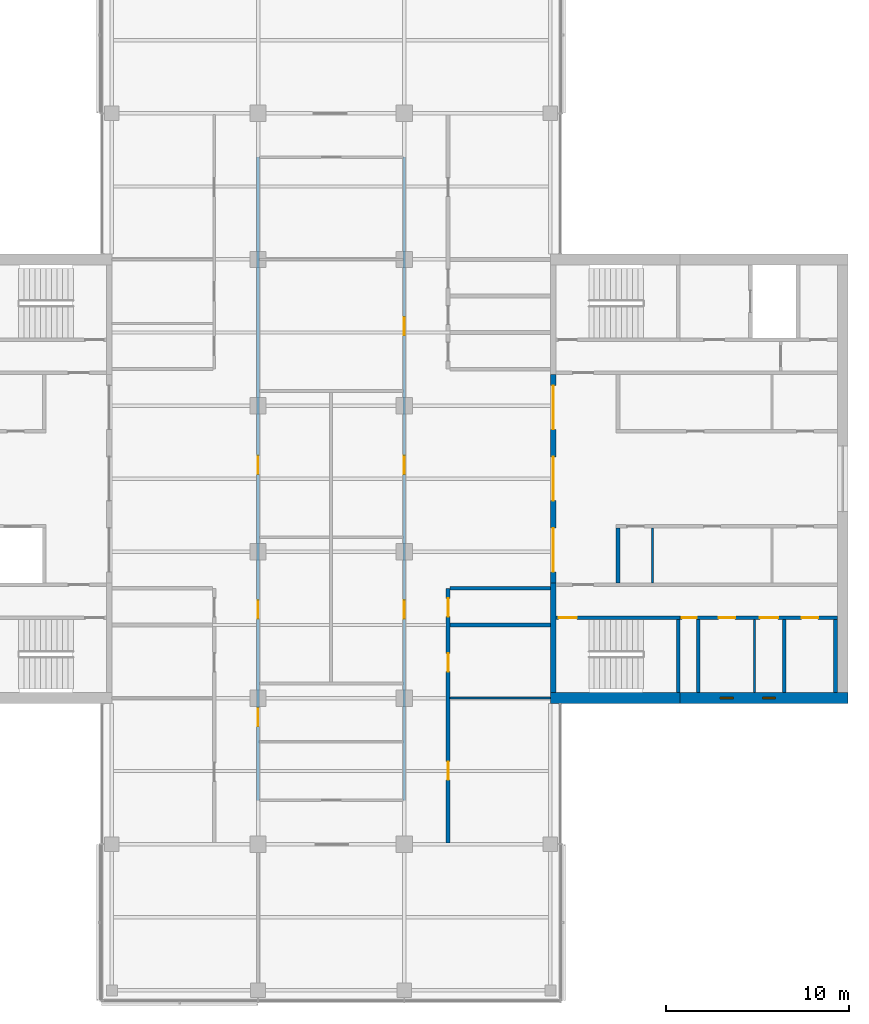
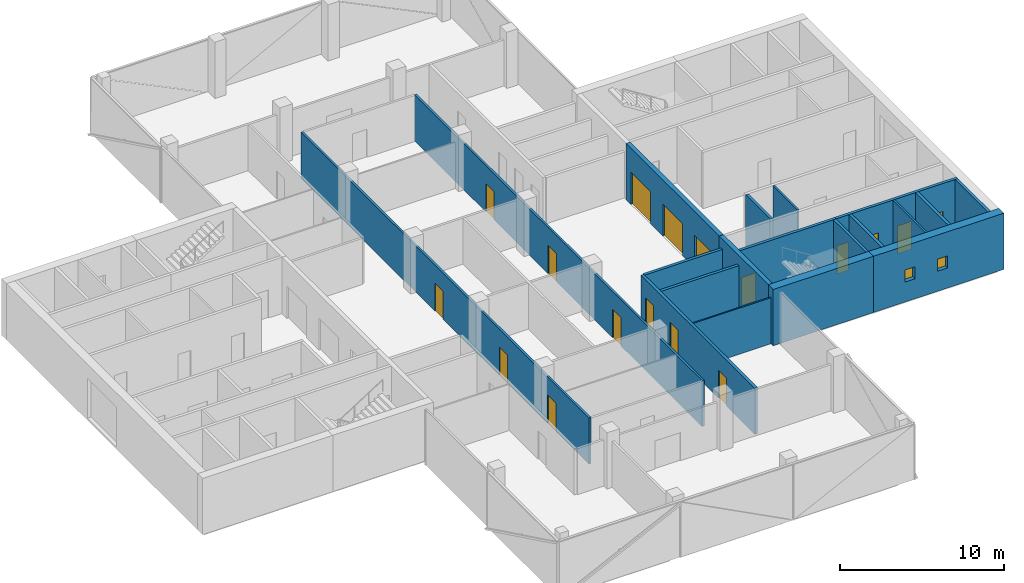
# One storey, part 10 of 16: 19 walls, 17 doors, 2 windows, 19 openings.
"""IFC4 building model written with IfcOpenShell, lengths in metres."""

from ifc_helpers import new_model, si_unit, direction, frame, frame_2d, origin, place, context, subcontext, project, spatial, rectangle, extrude, material, layer, layer_set, constituent, constituent_set, type_object, element, fill, save


model = new_model("IFC4")

# Units and contexts
model_context = context("Model", 3, precision=1e-05, world=origin(), true_north=direction((0.0, 1.0)))
body_context = subcontext(model_context, "Body", "Model", "MODEL_VIEW")
ifc_project = project(units=[si_unit("LENGTHUNIT", "METRE"), si_unit("AREAUNIT", "SQUARE_METRE"), si_unit("VOLUMEUNIT", "CUBIC_METRE"), si_unit("PLANEANGLEUNIT", "RADIAN"), si_unit("MASSUNIT", "GRAM", prefix="KILO")], contexts=[model_context])

# Site, building, storey
site_placement = place(None, origin())
site = spatial("IfcSite", under=ifc_project, at=site_placement, CompositionType="ELEMENT")
building_placement = place(site_placement, origin())
building = spatial("IfcBuilding", under=site, at=building_placement, Name="Crosswind Convention Tower", CompositionType="ELEMENT")
storey_placement = place(building_placement, frame((0.0, 0.0, 216.699951171875)))
storey = spatial("IfcBuildingStorey", under=building, at=storey_placement, Name="L46", CompositionType="ELEMENT", Elevation=216.699951171875)

# Wall
ifc_material_1 = material(Name="Concrete blockwork", Category="masonry")
ifc_layer_1 = layer(ifc_material_1, 0.199951171875)
ifc_layer_set_1 = layer_set([ifc_layer_1], Name="Blockwork partition wall 200")
wall_type_1 = type_object("IfcWallType", Name="Blockwork partition wall 200", PredefinedType="PARTITIONING", material=ifc_layer_set_1)
wall_1_placement = place(storey_placement, frame((145.10009765625, 88.300048828125, 0.0), z_axis=(0.0, 0.0, 1.0), x_axis=(0.0, 1.0, 0.0)))
element("IfcWall", 1, at=wall_1_placement, inside=storey, type_object=wall_type_1, Name="Wall MRSE E L46", PredefinedType="PARTITIONING", context=body_context, shape_type="SweptSolid", body=[
    extrude(rectangle(XDim=4.0, YDim=0.199951171875, at=frame_2d((2.0, 0.0))), origin(), (0.0, 0.0, 1.0), 4.199951171875),
])

# Wall, openings, doors
ifc_layer_2 = layer(ifc_material_1, 0.199951171875)
ifc_layer_set_2 = layer_set([ifc_layer_2], Name="COMPARTMENT WALL 200 BLOCKWORK")
wall_type_2 = type_object("IfcWallType", Name="COMPARTMENT WALL 200 BLOCKWORK", PredefinedType="SOLIDWALL", material=ifc_layer_set_2)
wall_2_placement = place(storey_placement, frame((131.39990234375, 80.074951171875, 0.0), z_axis=(0.0, 0.0, 1.0), x_axis=(0.0, 1.0, 0.0)))
wall_2 = element("IfcWall", 2, at=wall_2_placement, inside=storey, type_object=wall_type_2, Name="Compartment wall WT42", PredefinedType="SOLIDWALL", context=body_context, shape_type="SweptSolid", body=[
    extrude(rectangle(XDim=13.925048828125, YDim=0.199951171875, at=frame_2d((6.96240234375, 0.0))), origin(), (0.0, 0.0, 1.0), 3.43994140625),
])
opening_1_placement = place(wall_2_placement, frame((12.375, 0.0, 0.0)))
opening_1 = element("IfcOpeningElement", 3, at=opening_1_placement, cuts=wall_2, Name="Opening L46-54", PredefinedType="OPENING", context=body_context, shape_type="SweptSolid", body=[
    extrude(rectangle(XDim=1.0, YDim=2.10009765625, at=frame_2d((0.5, 1.050048828125))), frame((0.0, 0.10986328125, 0.0), z_axis=(0.0, -1.0, 0.0), x_axis=(1.0, 0.0, 0.0)), (0.0, 0.0, 1.0), 0.219970703125),
])
opening_2_placement = place(wall_2_placement, frame((9.375, 0.0, 0.0)))
opening_2 = element("IfcOpeningElement", 4, at=opening_2_placement, cuts=wall_2, Name="Opening L46-55", PredefinedType="OPENING", context=body_context, shape_type="SweptSolid", body=[
    extrude(rectangle(XDim=1.0, YDim=2.10009765625, at=frame_2d((0.5, 1.050048828125))), frame((0.0, 0.10986328125, 0.0), z_axis=(0.0, -1.0, 0.0), x_axis=(1.0, 0.0, 0.0)), (0.0, 0.0, 1.0), 0.219970703125),
])
opening_3_placement = place(wall_2_placement, frame((3.449951171875, 0.0, 0.0)))
opening_3 = element("IfcOpeningElement", 5, at=opening_3_placement, cuts=wall_2, Name="Opening L46-56", PredefinedType="OPENING", context=body_context, shape_type="SweptSolid", body=[
    extrude(rectangle(XDim=1.0, YDim=2.10009765625, at=frame_2d((0.5, 1.050048828125))), frame((0.0, 0.10986328125, 0.0), z_axis=(0.0, -1.0, 0.0), x_axis=(1.0, 0.0, 0.0)), (0.0, 0.0, 1.0), 0.219970703125),
])
ifc_material_2 = material(Name="Steel fire door", Category="steel")
door_type_1 = type_object("IfcDoorType", Name="PLANT ROOM DOOR 1000X2100 FD60", OperationType="NOTDEFINED", PredefinedType="DOOR", material=ifc_material_2)
door_1_placement = place(opening_1_placement, frame((1.0, 0.0, 0.0), z_axis=(0.0, 0.0, 1.0), x_axis=(-1.0, 0.0, 0.0)))
door_1 = element("IfcDoor", 6, at=door_1_placement, inside=storey, type_object=door_type_1, Name="Door L46-54", ObjectType="D43", OperationType="SINGLE_SWING_RIGHT", OverallHeight=2.10009765625, OverallWidth=1.0, PredefinedType="DOOR", context=body_context, shape_type="SweptSolid", body=[
    extrude(rectangle(XDim=1.0, YDim=2.10009765625, at=frame_2d((0.5, 1.050048828125))), frame((0.0, 0.02490234375, 0.0), z_axis=(0.0, -1.0, 0.0), x_axis=(1.0, 0.0, 0.0)), (0.0, 0.0, 1.0), 0.050048828125),
])
fill(opening_1, door_1)
ifc_material_3 = material(Name="Timber fire door", Category="wood")
door_type_2 = type_object("IfcDoorType", Name="TENANCY ENTRANCE DOOR 1000X2100 FD30S", OperationType="NOTDEFINED", PredefinedType="DOOR", material=ifc_material_3)
door_2_placement = place(opening_2_placement, frame((1.0, 0.0, 0.0), z_axis=(0.0, 0.0, 1.0), x_axis=(-1.0, 0.0, 0.0)))
door_2 = element("IfcDoor", 7, at=door_2_placement, inside=storey, type_object=door_type_2, Name="Door L46-55", ObjectType="D41", OperationType="SINGLE_SWING_LEFT", OverallHeight=2.10009765625, OverallWidth=1.0, PredefinedType="DOOR", context=body_context, shape_type="SweptSolid", body=[
    extrude(rectangle(XDim=1.0, YDim=2.10009765625, at=frame_2d((0.5, 1.050048828125))), frame((0.0, 0.02490234375, 0.0), z_axis=(0.0, -1.0, 0.0), x_axis=(1.0, 0.0, 0.0)), (0.0, 0.0, 1.0), 0.050048828125),
])
fill(opening_2, door_2)
door_3_placement = place(opening_3_placement, frame((1.0, 0.0, 0.0), z_axis=(0.0, 0.0, 1.0), x_axis=(-1.0, 0.0, 0.0)))
door_3 = element("IfcDoor", 8, at=door_3_placement, inside=storey, type_object=door_type_2, Name="Door L46-56", ObjectType="D41", OperationType="SINGLE_SWING_LEFT", OverallHeight=2.10009765625, OverallWidth=1.0, PredefinedType="DOOR", context=body_context, shape_type="SweptSolid", body=[
    extrude(rectangle(XDim=1.0, YDim=2.10009765625, at=frame_2d((0.5, 1.050048828125))), frame((0.0, 0.02490234375, 0.0), z_axis=(0.0, -1.0, 0.0), x_axis=(1.0, 0.0, 0.0)), (0.0, 0.0, 1.0), 0.050048828125),
])
fill(opening_3, door_3)

# Walls
for number, where, z_axis, x_axis, name in (
    (9, (131.5, 92.0, 0.0), (0.0, 0.0, 1.0), (1.0, 0.0, 0.0), "Compartment wall WT42"),
    (10, (131.5, 94.0, 0.0), (0.0, 0.0, 1.0), (1.0, 0.0, 0.0), "Compartment wall WT42"),
):
    element("IfcWall", number, at=place(storey_placement, frame(where, z_axis=z_axis, x_axis=x_axis)), inside=storey, type_object=wall_type_2, Name=name, PredefinedType="SOLIDWALL", context=body_context, shape_type="SweptSolid", body=[
        extrude(rectangle(XDim=5.5, YDim=0.199951171875, at=frame_2d((2.75, 0.0))), origin(), (0.0, 0.0, 1.0), 3.43994140625),
    ])

# Wall, openings, doors
ifc_material_4 = material(Name="Concrete C50/60", Category="concrete")
ifc_layer_3 = layer(ifc_material_4, 0.300048828125)
ifc_layer_set_3 = layer_set([ifc_layer_3], Name="Concrete C50/60")
wall_type_3 = type_object("IfcWallType", Name="Concrete inner core wall 300", PredefinedType="SHEAR", material=ifc_layer_set_3)
wall_3_placement = place(storey_placement, frame((137.14990234375, 94.300048828125, 0.0), z_axis=(0.0, 0.0, 1.0), x_axis=(0.0, 1.0, 0.0)))
wall_3 = element("IfcWall", 11, at=wall_3_placement, inside=storey, type_object=wall_type_3, Name="Wall SCR E L46", PredefinedType="SHEAR", context=body_context, shape_type="SweptSolid", body=[
    extrude(rectangle(XDim=11.39990234375, YDim=0.300048828125, at=frame_2d((5.699951171875, 0.0))), origin(), (0.0, 0.0, 1.0), 4.199951171875),
])
opening_4_placement = place(wall_3_placement, frame((0.60009765625, 0.0, 0.0)))
opening_4 = element("IfcOpeningElement", 12, at=opening_4_placement, cuts=wall_3, Name="Opening D100", PredefinedType="OPENING", context=body_context, shape_type="SweptSolid", body=[
    extrude(rectangle(XDim=2.39990234375, YDim=2.39990234375, at=frame_2d((1.199951171875, 1.199951171875))), frame((0.0, 0.159912109375, 0.0), z_axis=(0.0, -1.0, 0.0), x_axis=(1.0, 0.0, 0.0)), (0.0, 0.0, 1.0), 0.320068359375),
])
opening_5_placement = place(wall_3_placement, frame((4.5, 0.0, 0.0)))
opening_5 = element("IfcOpeningElement", 13, at=opening_5_placement, cuts=wall_3, Name="Opening D100", PredefinedType="OPENING", context=body_context, shape_type="SweptSolid", body=[
    extrude(rectangle(XDim=2.39990234375, YDim=2.39990234375, at=frame_2d((1.199951171875, 1.199951171875))), frame((0.0, 0.159912109375, 0.0), z_axis=(0.0, -1.0, 0.0), x_axis=(1.0, 0.0, 0.0)), (0.0, 0.0, 1.0), 0.320068359375),
])
opening_6_placement = place(wall_3_placement, frame((8.39990234375, 0.0, 0.0)))
opening_6 = element("IfcOpeningElement", 14, at=opening_6_placement, cuts=wall_3, Name="Opening D100", PredefinedType="OPENING", context=body_context, shape_type="SweptSolid", body=[
    extrude(rectangle(XDim=2.39990234375, YDim=2.39990234375, at=frame_2d((1.199951171875, 1.199951171875))), frame((0.0, 0.159912109375, 0.0), z_axis=(0.0, -1.0, 0.0), x_axis=(1.0, 0.0, 0.0)), (0.0, 0.0, 1.0), 0.320068359375),
])
ifc_material_5 = material(Name="Steel fire door with glazed vision panels", Category="steel")
door_type_3 = type_object("IfcDoorType", Name="Fire-rated double door 2400x2400", OperationType="DOUBLE_DOOR_SINGLE_SWING", PredefinedType="DOOR", material=ifc_material_5)
door_4_placement = place(opening_4_placement, origin())
door_4 = element("IfcDoor", 15, at=door_4_placement, inside=storey, type_object=door_type_3, Name="Lobby door 1 L46", ObjectType="D100", OperationType="DOUBLE_DOOR_SINGLE_SWING", OverallHeight=2.39990234375, OverallWidth=2.39990234375, PredefinedType="DOOR", context=body_context, shape_type="SweptSolid", body=[
    extrude(rectangle(XDim=2.39990234375, YDim=2.39990234375, at=frame_2d((1.199951171875, 1.199951171875))), frame((0.0, 0.02490234375, 0.0), z_axis=(0.0, -1.0, 0.0), x_axis=(1.0, 0.0, 0.0)), (0.0, 0.0, 1.0), 0.050048828125),
])
fill(opening_4, door_4)
door_5_placement = place(opening_5_placement, origin())
door_5 = element("IfcDoor", 16, at=door_5_placement, inside=storey, type_object=door_type_3, Name="Lobby door 2 L46", ObjectType="D100", OperationType="DOUBLE_DOOR_SINGLE_SWING", OverallHeight=2.39990234375, OverallWidth=2.39990234375, PredefinedType="DOOR", context=body_context, shape_type="SweptSolid", body=[
    extrude(rectangle(XDim=2.39990234375, YDim=2.39990234375, at=frame_2d((1.199951171875, 1.199951171875))), frame((0.0, 0.02490234375, 0.0), z_axis=(0.0, -1.0, 0.0), x_axis=(1.0, 0.0, 0.0)), (0.0, 0.0, 1.0), 0.050048828125),
])
fill(opening_5, door_5)
door_6_placement = place(opening_6_placement, origin())
door_6 = element("IfcDoor", 17, at=door_6_placement, inside=storey, type_object=door_type_3, Name="Lobby door 3 L46", ObjectType="D100", OperationType="DOUBLE_DOOR_SINGLE_SWING", OverallHeight=2.39990234375, OverallWidth=2.39990234375, PredefinedType="DOOR", context=body_context, shape_type="SweptSolid", body=[
    extrude(rectangle(XDim=2.39990234375, YDim=2.39990234375, at=frame_2d((1.199951171875, 1.199951171875))), frame((0.0, 0.02490234375, 0.0), z_axis=(0.0, -1.0, 0.0), x_axis=(1.0, 0.0, 0.0)), (0.0, 0.0, 1.0), 0.050048828125),
])
fill(opening_6, door_6)

# Walls
wall_4_placement = place(storey_placement, frame((137.14990234375, 88.300048828125, 0.0), z_axis=(0.0, 0.0, 1.0), x_axis=(0.0, 1.0, 0.0)))
element("IfcWall", 18, at=wall_4_placement, inside=storey, type_object=wall_type_3, Name="Wall EM E L46", PredefinedType="SHEAR", context=body_context, shape_type="SweptSolid", body=[
    extrude(rectangle(XDim=6.0, YDim=0.300048828125, at=frame_2d((3.0, 0.0))), origin(), (0.0, 0.0, 1.0), 4.199951171875),
])
ifc_layer_4 = layer(ifc_material_4, 0.199951171875)
ifc_layer_set_4 = layer_set([ifc_layer_4], Name="Concrete C50/60")
wall_type_4 = type_object("IfcWallType", Name="Concrete shaft and stair wall 200", PredefinedType="SHEAR", material=ifc_layer_set_4)
wall_5_placement = place(storey_placement, frame((140.699951171875, 94.300048828125, 0.0), z_axis=(0.0, 0.0, 1.0), x_axis=(0.0, 1.0, 0.0)))
element("IfcWall", 19, at=wall_5_placement, inside=storey, type_object=wall_type_4, Name="Wall RMEND E L46", PredefinedType="SHEAR", context=body_context, shape_type="SweptSolid", body=[
    extrude(rectangle(XDim=3.0, YDim=0.199951171875, at=frame_2d((1.5, 0.0))), origin(), (0.0, 0.0, 1.0), 4.199951171875),
])
for number, where, z_axis, x_axis, name in (
    (20, (144.0, 88.300048828125, 0.0), (0.0, 0.0, 1.0), (0.0, 1.0, 0.0), "Wall MSE E L46"),
    (21, (149.800048828125, 88.300048828125, 0.0), (0.0, 0.0, 1.0), (0.0, 1.0, 0.0), "Wall MFSW E L46"),
    (22, (152.60009765625, 88.300048828125, 0.0), (0.0, 0.0, 1.0), (0.0, 1.0, 0.0), "Wall MFSE E L46"),
):
    element("IfcWall", number, at=place(storey_placement, frame(where, z_axis=z_axis, x_axis=x_axis)), inside=storey, type_object=wall_type_4, Name=name, PredefinedType="SHEAR", context=body_context, shape_type="SweptSolid", body=[
        extrude(rectangle(XDim=4.0, YDim=0.199951171875, at=frame_2d((2.0, 0.0))), origin(), (0.0, 0.0, 1.0), 4.199951171875),
    ])

# Wall, opening, door
wall_6_placement = place(storey_placement, frame((137.300048828125, 92.39990234375, 0.0), z_axis=(0.0, 0.0, 1.0), x_axis=(1.0, 0.0, 0.0)))
wall_6 = element("IfcWall", 23, at=wall_6_placement, inside=storey, type_object=wall_type_4, Name="Wall MCW E L46", PredefinedType="SHEAR", context=body_context, shape_type="SweptSolid", body=[
    extrude(rectangle(XDim=6.800048828125, YDim=0.199951171875, at=frame_2d((3.39990234375, 0.0))), origin(), (0.0, 0.0, 1.0), 4.199951171875),
])
opening_7_placement = place(wall_6_placement, frame((0.14990234375, 0.0, 0.0)))
opening_7 = element("IfcOpeningElement", 24, at=opening_7_placement, cuts=wall_6, Name="Opening D103", PredefinedType="OPENING", context=body_context, shape_type="SweptSolid", body=[
    extrude(rectangle(XDim=1.0, YDim=2.10009765625, at=frame_2d((0.5, 1.050048828125))), frame((0.0, 0.10986328125, 0.0), z_axis=(0.0, -1.0, 0.0), x_axis=(1.0, 0.0, 0.0)), (0.0, 0.0, 1.0), 0.219970703125),
])
door_type_4 = type_object("IfcDoorType", Name="Fire-rated single door 1000x2100", OperationType="NOTDEFINED", PredefinedType="DOOR", material=ifc_material_2)
door_7_placement = place(opening_7_placement, frame((1.0, 0.0, 0.0), z_axis=(0.0, 0.0, 1.0), x_axis=(-1.0, 0.0, 0.0)))
door_7 = element("IfcDoor", 25, at=door_7_placement, inside=storey, type_object=door_type_4, Name="Stair ST2 door L46", ObjectType="D103", OperationType="SINGLE_SWING_RIGHT", OverallHeight=2.10009765625, OverallWidth=1.0, PredefinedType="DOOR", context=body_context, shape_type="SweptSolid", body=[
    extrude(rectangle(XDim=1.0, YDim=2.10009765625, at=frame_2d((0.5, 1.050048828125))), frame((0.0, 0.02490234375, 0.0), z_axis=(0.0, -1.0, 0.0), x_axis=(1.0, 0.0, 0.0)), (0.0, 0.0, 1.0), 0.050048828125),
])
fill(opening_7, door_7)

# Wall, openings, doors
wall_7_placement = place(storey_placement, frame((144.10009765625, 92.39990234375, 0.0), z_axis=(0.0, 0.0, 1.0), x_axis=(1.0, 0.0, 0.0)))
wall_7 = element("IfcWall", 26, at=wall_7_placement, inside=storey, type_object=wall_type_4, Name="Wall MCX E L46", PredefinedType="SHEAR", context=body_context, shape_type="SweptSolid", body=[
    extrude(rectangle(XDim=8.599853515625, YDim=0.199951171875, at=frame_2d((4.2998046875, 0.0))), origin(), (0.0, 0.0, 1.0), 4.199951171875),
])
opening_8_placement = place(wall_7_placement, frame((0.10009765625, 0.0, 0.0)))
opening_8 = element("IfcOpeningElement", 27, at=opening_8_placement, cuts=wall_7, Name="Opening D105", PredefinedType="OPENING", context=body_context, shape_type="SweptSolid", body=[
    extrude(rectangle(XDim=0.800048828125, YDim=2.10009765625, at=frame_2d((0.39990234375, 1.050048828125))), frame((0.0, 0.10986328125, 0.0), z_axis=(0.0, -1.0, 0.0), x_axis=(1.0, 0.0, 0.0)), (0.0, 0.0, 1.0), 0.219970703125),
])
opening_9_placement = place(wall_7_placement, frame((2.103759765625, 0.0, 0.0)))
opening_9 = element("IfcOpeningElement", 28, at=opening_9_placement, cuts=wall_7, Name="Opening D106", PredefinedType="OPENING", context=body_context, shape_type="SweptSolid", body=[
    extrude(rectangle(XDim=0.89990234375, YDim=2.10009765625, at=frame_2d((0.449951171875, 1.050048828125))), frame((0.0, 0.10986328125, 0.0), z_axis=(0.0, -1.0, 0.0), x_axis=(1.0, 0.0, 0.0)), (0.0, 0.0, 1.0), 0.219970703125),
])
opening_10_placement = place(wall_7_placement, frame((4.3662109375, 0.0, 0.0)))
opening_10 = element("IfcOpeningElement", 29, at=opening_10_placement, cuts=wall_7, Name="Opening D103", PredefinedType="OPENING", context=body_context, shape_type="SweptSolid", body=[
    extrude(rectangle(XDim=1.0, YDim=2.10009765625, at=frame_2d((0.5, 1.050048828125))), frame((0.0, 0.10986328125, 0.0), z_axis=(0.0, -1.0, 0.0), x_axis=(1.0, 0.0, 0.0)), (0.0, 0.0, 1.0), 0.219970703125),
])
opening_11_placement = place(wall_7_placement, frame((6.64990234375, 0.0, 0.0)))
opening_11 = element("IfcOpeningElement", 30, at=opening_11_placement, cuts=wall_7, Name="Opening D106", PredefinedType="OPENING", context=body_context, shape_type="SweptSolid", body=[
    extrude(rectangle(XDim=0.89990234375, YDim=2.10009765625, at=frame_2d((0.449951171875, 1.050048828125))), frame((0.0, 0.10986328125, 0.0), z_axis=(0.0, -1.0, 0.0), x_axis=(1.0, 0.0, 0.0)), (0.0, 0.0, 1.0), 0.219970703125),
])
door_8_placement = place(opening_10_placement, frame((1.0, 0.0, 0.0), z_axis=(0.0, 0.0, 1.0), x_axis=(-1.0, 0.0, 0.0)))
door_8 = element("IfcDoor", 31, at=door_8_placement, inside=storey, type_object=door_type_4, Name="Door to accessible wc L46", ObjectType="D103", OperationType="SINGLE_SWING_LEFT", OverallHeight=2.10009765625, OverallWidth=1.0, PredefinedType="DOOR", context=body_context, shape_type="SweptSolid", body=[
    extrude(rectangle(XDim=1.0, YDim=2.10009765625, at=frame_2d((0.5, 1.050048828125))), frame((0.0, 0.02490234375, 0.0), z_axis=(0.0, -1.0, 0.0), x_axis=(1.0, 0.0, 0.0)), (0.0, 0.0, 1.0), 0.050048828125),
])
fill(opening_10, door_8)
door_type_5 = type_object("IfcDoorType", Name="Riser access door 800x2100", OperationType="NOTDEFINED", PredefinedType="DOOR", material=ifc_material_2)
door_9_placement = place(opening_8_placement, frame((0.800048828125, 0.0, 0.0), z_axis=(0.0, 0.0, 1.0), x_axis=(-1.0, 0.0, 0.0)))
door_9 = element("IfcDoor", 32, at=door_9_placement, inside=storey, type_object=door_type_5, Name="Riser door L46", ObjectType="D105", OperationType="SINGLE_SWING_LEFT", OverallHeight=2.10009765625, OverallWidth=0.800048828125, PredefinedType="DOOR", context=body_context, shape_type="SweptSolid", body=[
    extrude(rectangle(XDim=0.800048828125, YDim=2.10009765625, at=frame_2d((0.39990234375, 1.050048828125))), frame((0.0, 0.02490234375, 0.0), z_axis=(0.0, -1.0, 0.0), x_axis=(1.0, 0.0, 0.0)), (0.0, 0.0, 1.0), 0.050048828125),
])
fill(opening_8, door_9)
ifc_material_6 = material(Name="Timber door", Category="wood")
door_type_6 = type_object("IfcDoorType", Name="Single leaf door 900x2100", OperationType="NOTDEFINED", PredefinedType="DOOR", material=ifc_material_6)
door_10_placement = place(opening_9_placement, frame((0.89990234375, 0.0, 0.0), z_axis=(0.0, 0.0, 1.0), x_axis=(-1.0, 0.0, 0.0)))
door_10 = element("IfcDoor", 33, at=door_10_placement, inside=storey, type_object=door_type_6, Name="Door to wc L46", ObjectType="D106", OperationType="SINGLE_SWING_LEFT", OverallHeight=2.10009765625, OverallWidth=0.89990234375, PredefinedType="DOOR", context=body_context, shape_type="SweptSolid", body=[
    extrude(rectangle(XDim=0.89990234375, YDim=2.10009765625, at=frame_2d((0.449951171875, 1.050048828125))), frame((0.0, 0.02490234375, 0.0), z_axis=(0.0, -1.0, 0.0), x_axis=(1.0, 0.0, 0.0)), (0.0, 0.0, 1.0), 0.050048828125),
])
fill(opening_9, door_10)
door_11_placement = place(opening_11_placement, frame((0.89990234375, 0.0, 0.0), z_axis=(0.0, 0.0, 1.0), x_axis=(-1.0, 0.0, 0.0)))
door_11 = element("IfcDoor", 34, at=door_11_placement, inside=storey, type_object=door_type_6, Name="Door to accessible wc L46", ObjectType="D106", OperationType="SINGLE_SWING_LEFT", OverallHeight=2.10009765625, OverallWidth=0.89990234375, PredefinedType="DOOR", context=body_context, shape_type="SweptSolid", body=[
    extrude(rectangle(XDim=0.89990234375, YDim=2.10009765625, at=frame_2d((0.449951171875, 1.050048828125))), frame((0.0, 0.02490234375, 0.0), z_axis=(0.0, -1.0, 0.0), x_axis=(1.0, 0.0, 0.0)), (0.0, 0.0, 1.0), 0.050048828125),
])
fill(opening_11, door_11)

# Walls
ifc_material_7 = material(Name="Gypsum plasterboard partition", Category="gypsum")
ifc_layer_5 = layer(ifc_material_7, 0.125)
ifc_layer_set_5 = layer_set([ifc_layer_5], Name="Drywall partition wall 125")
wall_type_5 = type_object("IfcWallType", Name="Drywall partition wall 125", PredefinedType="PARTITIONING", material=ifc_layer_set_5)
wall_8_placement = place(storey_placement, frame((142.5849609375, 94.300048828125, 0.0), z_axis=(0.0, 0.0, 1.0), x_axis=(0.0, 1.0, 0.0)))
element("IfcWall", 35, at=wall_8_placement, inside=storey, type_object=wall_type_5, Name="Wall RMP1 E L46", PredefinedType="PARTITIONING", context=body_context, shape_type="SweptSolid", body=[
    extrude(rectangle(XDim=3.0, YDim=0.125, at=frame_2d((1.5, 0.0))), origin(), (0.0, 0.0, 1.0), 4.199951171875),
])
wall_9_placement = place(storey_placement, frame((148.169921875, 88.300048828125, 0.0), z_axis=(0.0, 0.0, 1.0), x_axis=(0.0, 1.0, 0.0)))
element("IfcWall", 36, at=wall_9_placement, inside=storey, type_object=wall_type_5, Name="Wall MWP1 E L46", PredefinedType="PARTITIONING", context=body_context, shape_type="SweptSolid", body=[
    extrude(rectangle(XDim=4.0, YDim=0.125, at=frame_2d((2.0, 0.0))), origin(), (0.0, 0.0, 1.0), 4.199951171875),
])
ifc_material_8 = material(Name="Plasterboard partition", Category="gypsum")
ifc_layer_6 = layer(ifc_material_8, 0.10009765625)
ifc_layer_set_6 = layer_set([ifc_layer_6], Name="PARTITION 100 METAL STUD")
wall_type_6 = type_object("IfcWallType", Name="PARTITION 100 METAL STUD", PredefinedType="PARTITIONING", material=ifc_layer_set_6)
wall_10_placement = place(storey_placement, frame((131.5, 88.0, 0.0), z_axis=(0.0, 0.0, 1.0), x_axis=(1.0, 0.0, 0.0)))
element("IfcWall", 37, at=wall_10_placement, inside=storey, type_object=wall_type_6, Name="Partition wall WT40", PredefinedType="PARTITIONING", context=body_context, shape_type="SweptSolid", body=[
    extrude(rectangle(XDim=5.5, YDim=0.10009765625, at=frame_2d((2.75, 0.0))), origin(), (0.0, 0.0, 1.0), 3.43994140625),
])

# Wall, openings, doors
ifc_material_9 = material(Name="Fire-board partition with mineral wool", Category="gypsum")
ifc_layer_7 = layer(ifc_material_9, 0.14990234375)
ifc_layer_set_7 = layer_set([ifc_layer_7], Name="TENANCY WALL 150 TWO-HOUR BOARD")
wall_type_7 = type_object("IfcWallType", Name="TENANCY WALL 150 TWO-HOUR BOARD", PredefinedType="PARTITIONING", material=ifc_layer_set_7)
wall_11_placement = place(storey_placement, frame((121.0, 82.39990234375, 0.0), z_axis=(0.0, 0.0, 1.0), x_axis=(0.0, 1.0, 0.0)))
wall_11 = element("IfcWall", 38, at=wall_11_placement, inside=storey, type_object=wall_type_7, Name="Tenancy wall WT41", PredefinedType="PARTITIONING", context=body_context, shape_type="SweptSolid", body=[
    extrude(rectangle(XDim=35.2001953125, YDim=0.14990234375, at=frame_2d((17.60009765625, 0.0))), origin(), (0.0, 0.0, 1.0), 3.43994140625),
])
opening_12_placement = place(wall_11_placement, frame((4.050048828125, 0.0, 0.0)))
opening_12 = element("IfcOpeningElement", 39, at=opening_12_placement, cuts=wall_11, Name="Opening L46-66", PredefinedType="OPENING", context=body_context, shape_type="SweptSolid", body=[
    extrude(rectangle(XDim=1.0, YDim=2.10009765625, at=frame_2d((0.5, 1.050048828125))), frame((0.0, 0.0849609375, 0.0), z_axis=(0.0, -1.0, 0.0), x_axis=(1.0, 0.0, 0.0)), (0.0, 0.0, 1.0), 0.169921875),
])
opening_13_placement = place(wall_11_placement, frame((9.949951171875, 0.0, 0.0)))
opening_13 = element("IfcOpeningElement", 40, at=opening_13_placement, cuts=wall_11, Name="Opening L46-67", PredefinedType="OPENING", context=body_context, shape_type="SweptSolid", body=[
    extrude(rectangle(XDim=1.0, YDim=2.10009765625, at=frame_2d((0.5, 1.050048828125))), frame((0.0, 0.0849609375, 0.0), z_axis=(0.0, -1.0, 0.0), x_axis=(1.0, 0.0, 0.0)), (0.0, 0.0, 1.0), 0.169921875),
])
opening_14_placement = place(wall_11_placement, frame((17.85009765625, 0.0, 0.0)))
opening_14 = element("IfcOpeningElement", 41, at=opening_14_placement, cuts=wall_11, Name="Opening L46-69", PredefinedType="OPENING", context=body_context, shape_type="SweptSolid", body=[
    extrude(rectangle(XDim=1.0, YDim=2.10009765625, at=frame_2d((0.5, 1.050048828125))), frame((0.0, 0.0849609375, 0.0), z_axis=(0.0, -1.0, 0.0), x_axis=(1.0, 0.0, 0.0)), (0.0, 0.0, 1.0), 0.169921875),
])
door_12_placement = place(opening_12_placement, frame((1.0, 0.0, 0.0), z_axis=(0.0, 0.0, 1.0), x_axis=(-1.0, 0.0, 0.0)))
door_12 = element("IfcDoor", 42, at=door_12_placement, inside=storey, type_object=door_type_2, Name="Door L46-66", ObjectType="D41", OperationType="SINGLE_SWING_LEFT", OverallHeight=2.10009765625, OverallWidth=1.0, PredefinedType="DOOR", context=body_context, shape_type="SweptSolid", body=[
    extrude(rectangle(XDim=1.0, YDim=2.10009765625, at=frame_2d((0.5, 1.050048828125))), frame((0.0, 0.02490234375, 0.0), z_axis=(0.0, -1.0, 0.0), x_axis=(1.0, 0.0, 0.0)), (0.0, 0.0, 1.0), 0.050048828125),
])
fill(opening_12, door_12)
door_13_placement = place(opening_13_placement, frame((1.0, 0.0, 0.0), z_axis=(0.0, 0.0, 1.0), x_axis=(-1.0, 0.0, 0.0)))
door_13 = element("IfcDoor", 43, at=door_13_placement, inside=storey, type_object=door_type_2, Name="Door L46-67", ObjectType="D41", OperationType="SINGLE_SWING_LEFT", OverallHeight=2.10009765625, OverallWidth=1.0, PredefinedType="DOOR", context=body_context, shape_type="SweptSolid", body=[
    extrude(rectangle(XDim=1.0, YDim=2.10009765625, at=frame_2d((0.5, 1.050048828125))), frame((0.0, 0.02490234375, 0.0), z_axis=(0.0, -1.0, 0.0), x_axis=(1.0, 0.0, 0.0)), (0.0, 0.0, 1.0), 0.050048828125),
])
fill(opening_13, door_13)
door_14_placement = place(opening_14_placement, frame((1.0, 0.0, 0.0), z_axis=(0.0, 0.0, 1.0), x_axis=(-1.0, 0.0, 0.0)))
door_14 = element("IfcDoor", 44, at=door_14_placement, inside=storey, type_object=door_type_2, Name="Door L46-69", ObjectType="D41", OperationType="SINGLE_SWING_LEFT", OverallHeight=2.10009765625, OverallWidth=1.0, PredefinedType="DOOR", context=body_context, shape_type="SweptSolid", body=[
    extrude(rectangle(XDim=1.0, YDim=2.10009765625, at=frame_2d((0.5, 1.050048828125))), frame((0.0, 0.02490234375, 0.0), z_axis=(0.0, -1.0, 0.0), x_axis=(1.0, 0.0, 0.0)), (0.0, 0.0, 1.0), 0.050048828125),
])
fill(opening_14, door_14)

wall_12_placement = place(storey_placement, frame((129.0, 82.39990234375, 0.0), z_axis=(0.0, 0.0, 1.0), x_axis=(0.0, 1.0, 0.0)))
wall_12 = element("IfcWall", 45, at=wall_12_placement, inside=storey, type_object=wall_type_7, Name="Tenancy wall WT41", PredefinedType="PARTITIONING", context=body_context, shape_type="SweptSolid", body=[
    extrude(rectangle(XDim=35.2001953125, YDim=0.14990234375, at=frame_2d((17.60009765625, 0.0))), origin(), (0.0, 0.0, 1.0), 3.43994140625),
])
opening_15_placement = place(wall_12_placement, frame((9.949951171875, 0.0, 0.0)))
opening_15 = element("IfcOpeningElement", 46, at=opening_15_placement, cuts=wall_12, Name="Opening L46-68", PredefinedType="OPENING", context=body_context, shape_type="SweptSolid", body=[
    extrude(rectangle(XDim=1.0, YDim=2.10009765625, at=frame_2d((0.5, 1.050048828125))), frame((0.0, 0.0849609375, 0.0), z_axis=(0.0, -1.0, 0.0), x_axis=(1.0, 0.0, 0.0)), (0.0, 0.0, 1.0), 0.169921875),
])
opening_16_placement = place(wall_12_placement, frame((17.85009765625, 0.0, 0.0)))
opening_16 = element("IfcOpeningElement", 47, at=opening_16_placement, cuts=wall_12, Name="Opening L46-70", PredefinedType="OPENING", context=body_context, shape_type="SweptSolid", body=[
    extrude(rectangle(XDim=1.0, YDim=2.10009765625, at=frame_2d((0.5, 1.050048828125))), frame((0.0, 0.0849609375, 0.0), z_axis=(0.0, -1.0, 0.0), x_axis=(1.0, 0.0, 0.0)), (0.0, 0.0, 1.0), 0.169921875),
])
opening_17_placement = place(wall_12_placement, frame((25.449951171875, 0.0, 0.0)))
opening_17 = element("IfcOpeningElement", 48, at=opening_17_placement, cuts=wall_12, Name="Opening L46-71", PredefinedType="OPENING", context=body_context, shape_type="SweptSolid", body=[
    extrude(rectangle(XDim=1.0, YDim=2.10009765625, at=frame_2d((0.5, 1.050048828125))), frame((0.0, 0.0849609375, 0.0), z_axis=(0.0, -1.0, 0.0), x_axis=(1.0, 0.0, 0.0)), (0.0, 0.0, 1.0), 0.169921875),
])
door_15_placement = place(opening_15_placement, origin())
door_15 = element("IfcDoor", 49, at=door_15_placement, inside=storey, type_object=door_type_2, Name="Door L46-68", ObjectType="D41", OperationType="SINGLE_SWING_RIGHT", OverallHeight=2.10009765625, OverallWidth=1.0, PredefinedType="DOOR", context=body_context, shape_type="SweptSolid", body=[
    extrude(rectangle(XDim=1.0, YDim=2.10009765625, at=frame_2d((0.5, 1.050048828125))), frame((0.0, 0.02490234375, 0.0), z_axis=(0.0, -1.0, 0.0), x_axis=(1.0, 0.0, 0.0)), (0.0, 0.0, 1.0), 0.050048828125),
])
fill(opening_15, door_15)
door_16_placement = place(opening_16_placement, origin())
door_16 = element("IfcDoor", 50, at=door_16_placement, inside=storey, type_object=door_type_2, Name="Door L46-70", ObjectType="D41", OperationType="SINGLE_SWING_RIGHT", OverallHeight=2.10009765625, OverallWidth=1.0, PredefinedType="DOOR", context=body_context, shape_type="SweptSolid", body=[
    extrude(rectangle(XDim=1.0, YDim=2.10009765625, at=frame_2d((0.5, 1.050048828125))), frame((0.0, 0.02490234375, 0.0), z_axis=(0.0, -1.0, 0.0), x_axis=(1.0, 0.0, 0.0)), (0.0, 0.0, 1.0), 0.050048828125),
])
fill(opening_16, door_16)
door_17_placement = place(opening_17_placement, origin())
door_17 = element("IfcDoor", 51, at=door_17_placement, inside=storey, type_object=door_type_2, Name="Door L46-71", ObjectType="D41", OperationType="SINGLE_SWING_RIGHT", OverallHeight=2.10009765625, OverallWidth=1.0, PredefinedType="DOOR", context=body_context, shape_type="SweptSolid", body=[
    extrude(rectangle(XDim=1.0, YDim=2.10009765625, at=frame_2d((0.5, 1.050048828125))), frame((0.0, 0.02490234375, 0.0), z_axis=(0.0, -1.0, 0.0), x_axis=(1.0, 0.0, 0.0)), (0.0, 0.0, 1.0), 0.050048828125),
])
fill(opening_17, door_17)

# Wall
ifc_material_10 = material(Name="Concrete C60/75", Category="concrete")
ifc_constituent_1 = constituent(ifc_material_10, Name="Structure")
ifc_material_11 = material(Name="Terracotta rainscreen", Category="ceramic")
ifc_constituent_2 = constituent(ifc_material_11, Name="Facing")
ifc_constituent_set = constituent_set(constituents=[ifc_constituent_1, ifc_constituent_2], Name="Concrete C60/75, Terracotta rainscreen")
wall_type_8 = type_object("IfcWallType", Name="Terracotta rainscreen on concrete core wall 600", PredefinedType="SHEAR", material=ifc_constituent_set)
wall_13_placement = place(storey_placement, frame((137.0, 88.0, 0.0), z_axis=(0.0, 0.0, 1.0), x_axis=(1.0, 0.0, 0.0)))
element("IfcWall", 52, at=wall_13_placement, inside=storey, type_object=wall_type_8, Name="Wall S1 E L46", PredefinedType="SHEAR", context=body_context, shape_type="SweptSolid", body=[
    extrude(rectangle(XDim=7.10009765625, YDim=0.60009765625, at=frame_2d((3.550048828125, 0.0))), origin(), (0.0, 0.0, 1.0), 4.199951171875),
])

# Wall, openings, windows
wall_14_placement = place(storey_placement, frame((144.10009765625, 88.0, 0.0), z_axis=(0.0, 0.0, 1.0), x_axis=(1.0, 0.0, 0.0)))
wall_14 = element("IfcWall", 53, at=wall_14_placement, inside=storey, type_object=wall_type_8, Name="Wall S2 E L46", PredefinedType="SHEAR", context=body_context, shape_type="SweptSolid", body=[
    extrude(rectangle(XDim=9.199951171875, YDim=0.60009765625, at=frame_2d((4.60009765625, 0.0))), origin(), (0.0, 0.0, 1.0), 4.199951171875),
])
opening_18_placement = place(wall_14_placement, frame((2.203857421875, 0.0, 1.5)))
opening_18 = element("IfcOpeningElement", 54, at=opening_18_placement, cuts=wall_14, Name="Opening W2", PredefinedType="OPENING", context=body_context, shape_type="SweptSolid", body=[
    extrude(rectangle(XDim=0.699951171875, YDim=0.89990234375, at=frame_2d((0.35009765625, 0.449951171875))), frame((0.0, 0.31005859375, 0.0), z_axis=(0.0, -1.0, 0.0), x_axis=(1.0, 0.0, 0.0)), (0.0, 0.0, 1.0), 0.6201171875),
])
opening_19_placement = place(wall_14_placement, frame((4.516357421875, 0.0, 1.5)))
opening_19 = element("IfcOpeningElement", 55, at=opening_19_placement, cuts=wall_14, Name="Opening W2", PredefinedType="OPENING", context=body_context, shape_type="SweptSolid", body=[
    extrude(rectangle(XDim=0.699951171875, YDim=0.89990234375, at=frame_2d((0.35009765625, 0.449951171875))), frame((0.0, 0.31005859375, 0.0), z_axis=(0.0, -1.0, 0.0), x_axis=(1.0, 0.0, 0.0)), (0.0, 0.0, 1.0), 0.6201171875),
])
ifc_material_12 = material(Name="Obscure glass in aluminium frame", Category="aluminium")
window_type = type_object("IfcWindowType", Name="WC window 700x900", PartitioningType="SINGLE_PANEL", PredefinedType="WINDOW", material=ifc_material_12)
window_1_placement = place(opening_18_placement, origin())
window_1 = element("IfcWindow", 56, at=window_1_placement, inside=storey, type_object=window_type, Name="WC window L46", ObjectType="W2", OverallHeight=0.89990234375, OverallWidth=0.699951171875, PartitioningType="SINGLE_PANEL", PredefinedType="WINDOW", context=body_context, shape_type="SweptSolid", body=[
    extrude(rectangle(XDim=0.699951171875, YDim=0.89990234375, at=frame_2d((0.35009765625, 0.449951171875))), frame((0.0, 0.030029296875, 0.0), z_axis=(0.0, -1.0, 0.0), x_axis=(1.0, 0.0, 0.0)), (0.0, 0.0, 1.0), 0.06005859375),
])
fill(opening_18, window_1)
window_2_placement = place(opening_19_placement, origin())
window_2 = element("IfcWindow", 57, at=window_2_placement, inside=storey, type_object=window_type, Name="WC window L46", ObjectType="W2", OverallHeight=0.89990234375, OverallWidth=0.699951171875, PartitioningType="SINGLE_PANEL", PredefinedType="WINDOW", context=body_context, shape_type="SweptSolid", body=[
    extrude(rectangle(XDim=0.699951171875, YDim=0.89990234375, at=frame_2d((0.35009765625, 0.449951171875))), frame((0.0, 0.030029296875, 0.0), z_axis=(0.0, -1.0, 0.0), x_axis=(1.0, 0.0, 0.0)), (0.0, 0.0, 1.0), 0.06005859375),
])
fill(opening_19, window_2)

save(model, "model.ifc")
